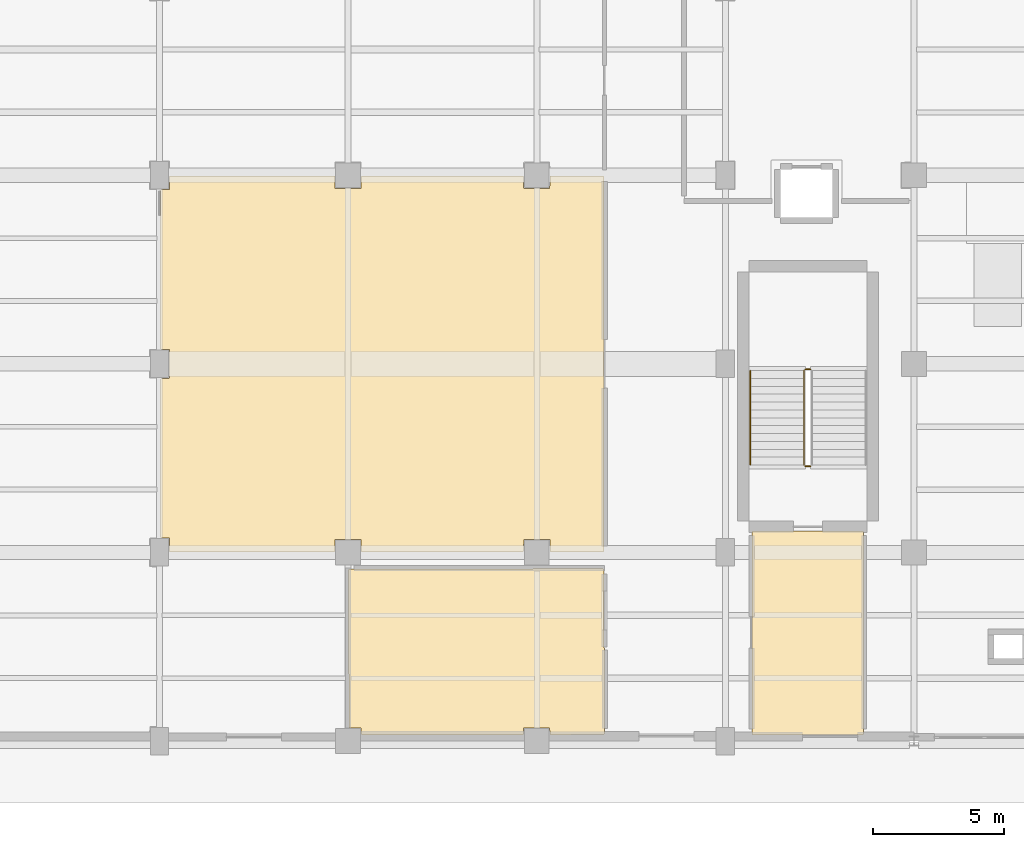
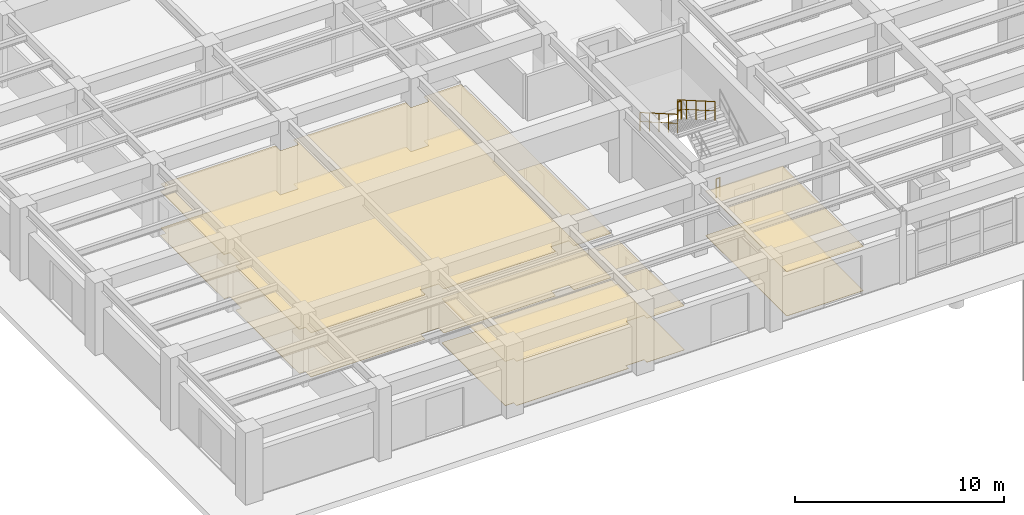
# One storey, part 50 of 64: 6 coverings, 4 railings.
"""IFC4 building model written with IfcOpenShell, lengths in metres."""

import ifcopenshell
import ifcopenshell.guid

model = None  # the IFC model being written
_history = None  # IfcOwnerHistory: only IFC2X3 demands one
_inside = {}  # id of a spatial element -> (the spatial element, [elements in it])
_under = {}  # id of a project, library or spatial element -> (it, [spatial elements below it])
_declared = {}  # id of a project -> (the project, [libraries it declares])
_typed = {}  # id of a type object -> (the type object, [elements of that type])
_made_of = {}  # id of a material, layer set ... -> (it, [elements and type objects made of it])


def new_model(schema):
    """Start an empty IFC model of exactly this schema.

    Asked for "IFC4X3", IfcOpenShell would pick the latest addendum, in which some entities
    have other attributes; the version numbers below select the first issue.
    IFC2X3 requires an IfcOwnerHistory on every rooted entity: one is made here for all.
    """
    global model, _history
    if schema == "IFC4X3":
        model = ifcopenshell.file(schema_version=(4, 3, 0, 0))
    else:
        model = ifcopenshell.file(schema=schema)
    _inside.clear()
    _under.clear()
    _declared.clear()
    _typed.clear()
    _made_of.clear()
    _history = None
    if model.schema == "IFC2X3":
        org = make("IfcOrganization", Name="unknown")
        user = make(
            "IfcPersonAndOrganization",
            ThePerson=make("IfcPerson", FamilyName="unknown"),
            TheOrganization=org,
        )
        app = make(
            "IfcApplication",
            ApplicationDeveloper=org,
            Version="unknown",
            ApplicationFullName="unknown",
            ApplicationIdentifier="unknown",
        )
        _history = make(
            "IfcOwnerHistory",
            OwningUser=user,
            OwningApplication=app,
            ChangeAction="ADDED",
            CreationDate=0,
        )
    return model


def make(cls, **values):
    """One entity of the class cls with the attributes given. An attribute that is None is left unset."""
    return model.create_entity(
        cls, **{name: value for name, value in values.items() if value is not None}
    )


def rooted(cls, **values):
    """An entity with a GlobalId (a new one), such as an element, a storey or a relation."""
    return make(cls, GlobalId=ifcopenshell.guid.new(), OwnerHistory=_history, **values)


def si_unit(unit_type, name, prefix=None):
    """IfcSIUnit, for example si_unit("LENGTHUNIT", "METRE", prefix="MILLI")."""
    return make("IfcSIUnit", UnitType=unit_type, Prefix=prefix, Name=name)


def assignment(units):
    """IfcUnitAssignment: the units of a project."""
    return None if units is None else make("IfcUnitAssignment", Units=units)


def point(xyz):
    """IfcCartesianPoint."""
    return None if xyz is None else make("IfcCartesianPoint", Coordinates=xyz)


def direction(xyz):
    """IfcDirection."""
    return None if xyz is None else make("IfcDirection", DirectionRatios=xyz)


def frame(location, z_axis=None, x_axis=None):
    """IfcAxis2Placement3D, a coordinate frame: its origin and axes. An axis left out is left unset."""
    return make(
        "IfcAxis2Placement3D",
        Location=point(location),
        Axis=direction(z_axis),
        RefDirection=direction(x_axis),
    )


def frame_2d(location, x_axis=None):
    """IfcAxis2Placement2D, a coordinate frame in the plane: its origin and x axis."""
    return make(
        "IfcAxis2Placement2D", Location=point(location), RefDirection=direction(x_axis)
    )


def origin():
    """The frame at (0, 0, 0) with its axes left unset."""
    return frame((0.0, 0.0, 0.0))


def origin_2d():
    """The frame at (0, 0) in the plane with its x axis left unset."""
    return frame_2d((0.0, 0.0))


def place(relative_to, where):
    """IfcLocalPlacement: puts the frame where relative to a parent placement (None: the world)."""
    return make(
        "IfcLocalPlacement", PlacementRelTo=relative_to, RelativePlacement=where
    )


def context(
    kind, dimensions, precision=None, world=None, true_north=None, identifier=None
):
    """IfcGeometricRepresentationContext, for example the 3D "Model" context."""
    return make(
        "IfcGeometricRepresentationContext",
        ContextIdentifier=identifier,
        ContextType=kind,
        CoordinateSpaceDimension=dimensions,
        Precision=precision,
        WorldCoordinateSystem=world,
        TrueNorth=true_north,
    )


def subcontext(parent, identifier, kind, view, scale=None):
    """IfcGeometricRepresentationSubContext, for example "Body" below "Model"."""
    return make(
        "IfcGeometricRepresentationSubContext",
        ContextIdentifier=identifier,
        ContextType=kind,
        ParentContext=parent,
        TargetScale=scale,
        TargetView=view,
    )


def project(units=None, contexts=None):
    """IfcProject with its units and contexts."""
    return rooted(
        "IfcProject",
        Name="project",
        RepresentationContexts=contexts,
        UnitsInContext=assignment(units),
    )


def spatial(cls, under=None, at=None, **own):
    """A site, building, storey or space (cls), placed at a placement, below another one or the project."""
    s = rooted(cls, ObjectPlacement=at, **own)
    if under is not None:
        _under.setdefault(under.id(), (under, []))[1].append(s)
    return s


def polyline(points):
    """IfcPolyline through the points."""
    return make("IfcPolyline", Points=[point(p) for p in points])


def profile(cls, at=None, kind="AREA", **sizes):
    """A parametric profile (cls). Its sizes go by their IFC names, for example OverallWidth=200.0."""
    return make(cls, ProfileType=kind, Position=at, **sizes)


def circle(**sizes):
    """IfcCircleProfileDef."""
    return profile("IfcCircleProfileDef", **sizes)


def outline(outer, holes=None, kind="AREA"):
    """IfcArbitraryClosedProfileDef: a profile drawn as a closed curve; with holes, ...WithVoids."""
    if holes is None:
        return make("IfcArbitraryClosedProfileDef", ProfileType=kind, OuterCurve=outer)
    return make(
        "IfcArbitraryProfileDefWithVoids",
        ProfileType=kind,
        OuterCurve=outer,
        InnerCurves=holes,
    )


def extrude(swept, where, along, depth):
    """IfcExtrudedAreaSolid: the profile swept, set in the frame where, extruded along a direction by depth."""
    return make(
        "IfcExtrudedAreaSolid",
        SweptArea=swept,
        Position=where,
        ExtrudedDirection=direction(along),
        Depth=depth,
    )


def shape(context_of_items, identifier, shape_type, items):
    """IfcShapeRepresentation: the items that make up one representation, for example the "Body"."""
    return make(
        "IfcShapeRepresentation",
        ContextOfItems=context_of_items,
        RepresentationIdentifier=identifier,
        RepresentationType=shape_type,
        Items=items,
    )


def material(Name=None, Category=None):
    """IfcMaterial."""
    return make("IfcMaterial", Name=Name, Category=Category)


def layer(
    of_material, thickness, ventilated=None, Name=None, Category=None, Priority=None
):
    """IfcMaterialLayer: one layer of a wall or slab, of a material (None: an air gap)."""
    return make(
        "IfcMaterialLayer",
        Material=of_material,
        LayerThickness=thickness,
        IsVentilated=ventilated,
        Name=Name,
        Category=Category,
        Priority=Priority,
    )


def layer_set(layers, Name=None):
    """IfcMaterialLayerSet."""
    return make("IfcMaterialLayerSet", MaterialLayers=layers, LayerSetName=Name)


def made_of(thing, what):
    """Note that an element or type object is made of a material, layer set ...; save() writes the relation."""
    if what is not None:
        _made_of.setdefault(what.id(), (what, []))[1].append(thing)
    return thing


def type_object(cls, material=None, **own):
    """A type object (cls), such as IfcWallType, which elements share."""
    return made_of(rooted(cls, **own), material)


def element(
    cls,
    number,
    at=None,
    inside=None,
    cuts=None,
    type_object=None,
    material=None,
    context=None,
    identifier="Body",
    shape_type=None,
    held_by="IfcProductDefinitionShape",
    body=None,
    shapes=None,
    **own,
):
    """One element of the class cls, such as IfcWall. Its Tag is "e" and its number.

    at: its placement. inside: the storey or other place that contains it. cuts: it is an
    opening in that element (IfcRelVoidsElement). A single representation is given by context,
    identifier, shape_type and body (its items); several are given by shapes. held_by: the class
    of the entity that holds the representations. save() writes the other relations.
    """
    e = rooted(cls, Tag="e%d" % number, ObjectPlacement=at, **own)
    if body is not None:
        shapes = [shape(context, identifier, shape_type, body)]
    if shapes is not None:
        e.Representation = make(held_by, Representations=shapes)
    if inside is not None:
        _inside.setdefault(inside.id(), (inside, []))[1].append(e)
    if cuts is not None:
        rooted(
            "IfcRelVoidsElement", RelatingBuildingElement=cuts, RelatedOpeningElement=e
        )
    if type_object is not None:
        _typed.setdefault(type_object.id(), (type_object, []))[1].append(e)
    return made_of(e, material)


def aggregate(whole, parts):
    """IfcRelAggregates: a whole, such as a stair, and the parts it consists of."""
    return rooted("IfcRelAggregates", RelatingObject=whole, RelatedObjects=parts)


def save(model, path):
    """Write the relations noted so far, then the file.

    IfcRelAggregates (storeys below a building ...), IfcRelContainedInSpatialStructure (elements
    in a storey), IfcRelDefinesByType, IfcRelAssociatesMaterial and IfcRelDeclares: one each for
    every whole, place, type object, material and project.
    """
    for whole, parts in _under.values():
        aggregate(whole, parts)
    for where, things in _inside.values():
        rooted(
            "IfcRelContainedInSpatialStructure",
            RelatedElements=things,
            RelatingStructure=where,
        )
    for kind, things in _typed.values():
        rooted("IfcRelDefinesByType", RelatedObjects=things, RelatingType=kind)
    for what, things in _made_of.values():
        rooted("IfcRelAssociatesMaterial", RelatedObjects=things, RelatingMaterial=what)
    for by, libraries in _declared.values():
        rooted("IfcRelDeclares", RelatingContext=by, RelatedDefinitions=libraries)
    model.write(path)


model = new_model("IFC4")

# Units and contexts
model_context = context("Model", 3, precision=1e-05, world=origin(), true_north=direction((0.0, 1.0)))
body_context = subcontext(model_context, "Body", "Model", "MODEL_VIEW")
ifc_project = project(units=[si_unit("LENGTHUNIT", "METRE"), si_unit("AREAUNIT", "SQUARE_METRE"), si_unit("VOLUMEUNIT", "CUBIC_METRE"), si_unit("PLANEANGLEUNIT", "RADIAN"), si_unit("MASSUNIT", "GRAM", prefix="KILO")], contexts=[model_context])

# Site, building, storey
site_placement = place(None, origin())
site = spatial("IfcSite", under=ifc_project, at=site_placement, CompositionType="ELEMENT")
building_placement = place(site_placement, origin())
building = spatial("IfcBuilding", under=site, at=building_placement, Name="Solenvale Faculty of Natural Sciences", CompositionType="ELEMENT")
storey_placement = place(building_placement, origin())
storey = spatial("IfcBuildingStorey", under=building, at=storey_placement, Name="L00", CompositionType="ELEMENT", Elevation=0.0)

# Coverings
ifc_material_1 = material(Name="Acoustic mineral-timber ceiling", Category="wood")
ifc_layer_1 = layer(ifc_material_1, 0.02490234375)
ifc_layer_set_1 = layer_set([ifc_layer_1], Name="Acoustic mineral-timber ceiling")
covering_type_1 = type_object("IfcCoveringType", Name="COV-CEIL-AC25", PredefinedType="CEILING", material=ifc_layer_set_1)
covering_1_placement = place(storey_placement, frame((0.0, 0.0, 2.574951171875)))
element("IfcCovering", 1, at=covering_1_placement, inside=storey, type_object=covering_type_1, Name="L00 Fire Command Centre Acoustic Ceiling", PredefinedType="CEILING", context=body_context, shape_type="SweptSolid", body=[
    extrude(outline(polyline([(24.1298828125, 6.580078125), (24.15087890625, 6.571044921875), (24.159912109375, 6.550048828125), (24.159912109375, 3.60009765625), (24.179931640625, 3.551025390625), (24.179931640625, 0.27001953125), (24.1669921875, 0.2451171875), (22.126953125, 0.239990234375), (22.10009765625, 0.26708984375), (22.093017578125, 0.5), (21.111083984375, 0.5), (21.10009765625, 0.489013671875), (21.09912109375, 0.263916015625), (21.070068359375, 0.239990234375), (14.929931640625, 0.239990234375), (14.89990234375, 0.26708984375), (14.89501953125, 0.4990234375), (14.449951171875, 0.5), (14.425048828125, 0.512939453125), (14.419921875, 6.550048828125), (14.43310546875, 6.574951171875), (24.1298828125, 6.580078125)])), origin(), (0.0, 0.0, 1.0), 0.025146484375),
])
covering_2_placement = place(storey_placement, frame((0.0, 0.0, 2.574951171875)))
element("IfcCovering", 2, at=covering_2_placement, inside=storey, type_object=covering_type_1, Name="L00 Protected Exit Vestibule ST-01 Acoustic Ceiling", PredefinedType="CEILING", context=body_context, shape_type="SweptSolid", body=[
    extrude(outline(polyline([(29.85009765625, 0.239990234375), (29.8291015625, 0.2490234375), (29.820068359375, 0.27001953125), (29.823974609375, 8.00390625), (29.85009765625, 8.02001953125), (34.053955078125, 8.01611328125), (34.070068359375, 7.989990234375), (34.06591796875, 0.256103515625), (34.0400390625, 0.239990234375), (29.85009765625, 0.239990234375)])), origin(), (0.0, 0.0, 1.0), 0.025146484375),
])
ifc_material_2 = material(Name="Oak slatted acoustic timber ceiling", Category="wood")
ifc_layer_2 = layer(ifc_material_2, 0.034912109375)
ifc_layer_set_2 = layer_set([ifc_layer_2], Name="Oak slatted acoustic timber ceiling")
covering_type_2 = type_object("IfcCoveringType", Name="COV-CEIL-WD35", PredefinedType="CEILING", material=ifc_layer_set_2)
covering_3_placement = place(storey_placement, frame((0.0, 0.0, 2.56494140625)))
element("IfcCovering", 3, at=covering_3_placement, inside=storey, type_object=covering_type_2, Name="L00 Lecture Theatre Acoustic Ceiling", PredefinedType="CEILING", context=body_context, shape_type="SweptSolid", body=[
    extrude(outline(polyline([(7.239990234375, 13.820068359375), (7.26708984375, 13.85009765625), (7.56396484375, 13.85009765625), (7.574951171875, 13.861083984375), (7.574951171875, 14.943115234375), (7.26708984375, 14.949951171875), (7.239990234375, 14.97998046875), (7.239990234375, 21.02001953125), (7.26708984375, 21.050048828125), (7.572998046875, 21.053955078125), (7.574951171875, 21.550048828125), (7.593994140625, 21.577880859375), (13.873046875, 21.580078125), (13.89990234375, 21.552978515625), (13.89990234375, 21.111083984375), (13.910888671875, 21.10009765625), (14.89404296875, 21.10107421875), (14.89990234375, 21.552978515625), (14.929931640625, 21.580078125), (21.072998046875, 21.580078125), (21.10009765625, 21.552978515625), (21.10009765625, 21.111083984375), (21.111083984375, 21.10009765625), (22.094970703125, 21.10107421875), (22.10009765625, 21.552978515625), (22.1240234375, 21.5791015625), (24.1298828125, 21.580078125), (24.157958984375, 21.56103515625), (24.159912109375, 7.25), (24.14111328125, 7.221923828125), (22.1240234375, 7.220947265625), (22.10009765625, 7.2470703125), (22.10009765625, 7.68896484375), (22.089111328125, 7.699951171875), (21.10595703125, 7.698974609375), (21.10009765625, 7.2470703125), (21.070068359375, 7.219970703125), (14.927001953125, 7.219970703125), (14.89990234375, 7.2470703125), (14.89990234375, 7.68896484375), (14.888916015625, 7.699951171875), (13.906005859375, 7.698974609375), (13.89990234375, 7.2470703125), (13.873046875, 7.219970703125), (7.593994140625, 7.221923828125), (7.574951171875, 7.25), (7.572998046875, 7.74609375), (7.26708984375, 7.75), (7.239990234375, 7.777099609375), (7.239990234375, 13.820068359375)])), origin(), (0.0, 0.0, 1.0), 0.03515625),
])
ifc_material_3 = material(Name="Polished slate terrazzo flooring", Category="masonry")
ifc_layer_3 = layer(ifc_material_3, 0.01806640625)
ifc_layer_set_3 = layer_set([ifc_layer_3], Name="Polished slate terrazzo flooring")
covering_type_3 = type_object("IfcCoveringType", Name="COV-FLR-TRZ18", PredefinedType="FLOORING", material=ifc_layer_set_3)
covering_4_placement = place(storey_placement, origin())
element("IfcCovering", 4, at=covering_4_placement, inside=storey, type_object=covering_type_3, Name="L00 Fire Command Centre Floor Finish", PredefinedType="FLOORING", context=body_context, shape_type="SweptSolid", body=[
    extrude(outline(polyline([(24.1298828125, 6.580078125), (24.15087890625, 6.571044921875), (24.159912109375, 6.550048828125), (24.159912109375, 3.60009765625), (24.179931640625, 3.551025390625), (24.179931640625, 0.27001953125), (24.1669921875, 0.2451171875), (22.126953125, 0.239990234375), (22.10009765625, 0.26708984375), (22.093017578125, 0.5), (21.111083984375, 0.5), (21.10009765625, 0.489013671875), (21.09912109375, 0.263916015625), (21.070068359375, 0.239990234375), (14.929931640625, 0.239990234375), (14.89990234375, 0.26708984375), (14.89501953125, 0.4990234375), (14.449951171875, 0.5), (14.425048828125, 0.512939453125), (14.419921875, 6.550048828125), (14.43310546875, 6.574951171875), (24.1298828125, 6.580078125)])), origin(), (0.0, 0.0, 1.0), 0.01806640625),
])
covering_5_placement = place(storey_placement, origin())
element("IfcCovering", 5, at=covering_5_placement, inside=storey, type_object=covering_type_3, Name="L00 Lecture Theatre Floor Finish", PredefinedType="FLOORING", context=body_context, shape_type="SweptSolid", body=[
    extrude(outline(polyline([(7.239990234375, 13.820068359375), (7.26708984375, 13.85009765625), (7.56396484375, 13.85009765625), (7.574951171875, 13.861083984375), (7.574951171875, 14.943115234375), (7.26708984375, 14.949951171875), (7.239990234375, 14.97998046875), (7.239990234375, 21.02001953125), (7.26708984375, 21.050048828125), (7.572998046875, 21.053955078125), (7.574951171875, 21.550048828125), (7.593994140625, 21.577880859375), (13.873046875, 21.580078125), (13.89990234375, 21.552978515625), (13.89990234375, 21.111083984375), (13.910888671875, 21.10009765625), (14.89404296875, 21.10107421875), (14.89990234375, 21.552978515625), (14.929931640625, 21.580078125), (21.072998046875, 21.580078125), (21.10009765625, 21.552978515625), (21.10009765625, 21.111083984375), (21.111083984375, 21.10009765625), (22.094970703125, 21.10107421875), (22.10009765625, 21.552978515625), (22.1240234375, 21.5791015625), (24.1298828125, 21.580078125), (24.157958984375, 21.56103515625), (24.159912109375, 7.25), (24.14111328125, 7.221923828125), (22.1240234375, 7.220947265625), (22.10009765625, 7.2470703125), (22.10009765625, 7.68896484375), (22.089111328125, 7.699951171875), (21.10595703125, 7.698974609375), (21.10009765625, 7.2470703125), (21.070068359375, 7.219970703125), (14.927001953125, 7.219970703125), (14.89990234375, 7.2470703125), (14.89990234375, 7.68896484375), (14.888916015625, 7.699951171875), (13.906005859375, 7.698974609375), (13.89990234375, 7.2470703125), (13.873046875, 7.219970703125), (7.593994140625, 7.221923828125), (7.574951171875, 7.25), (7.572998046875, 7.74609375), (7.26708984375, 7.75), (7.239990234375, 7.777099609375), (7.239990234375, 13.820068359375)])), origin(), (0.0, 0.0, 1.0), 0.01806640625),
])
covering_6_placement = place(storey_placement, origin())
element("IfcCovering", 6, at=covering_6_placement, inside=storey, type_object=covering_type_3, Name="L00 Protected Exit Vestibule ST-01 Floor Finish", PredefinedType="FLOORING", context=body_context, shape_type="SweptSolid", body=[
    extrude(outline(polyline([(29.85009765625, 0.239990234375), (29.8291015625, 0.2490234375), (29.820068359375, 0.27001953125), (29.823974609375, 8.00390625), (29.85009765625, 8.02001953125), (34.053955078125, 8.01611328125), (34.070068359375, 7.989990234375), (34.06591796875, 0.256103515625), (34.0400390625, 0.239990234375), (29.85009765625, 0.239990234375)])), origin(), (0.0, 0.0, 1.0), 0.01806640625),
])

# Railings
ifc_material_4 = material(Name="Stainless steel Grade 304", Category="steel")
railing_type_1 = type_object("IfcRailingType", Name="RL-GRD-1100", PredefinedType="GUARDRAIL", material=ifc_material_4)
railing_1_placement = place(storey_placement, frame((32.050048828125, 14.18994140625, 2.25)))
element("IfcRailing", 7, at=railing_1_placement, inside=storey, type_object=railing_type_1, Name="L00 ST-01 stair guard 2", PredefinedType="GUARDRAIL", context=body_context, shape_type="SweptSolid", body=[
    extrude(circle(Radius=0.02392578125, at=origin_2d()), frame((0.0, 0.0, 1.09619140625), z_axis=(-1.0, 0.0, 0.0), x_axis=(0.0, -1.0, 0.0)), (0.0, 0.0, 1.0), 0.199951171875),
    extrude(circle(Radius=0.01611328125, at=origin_2d()), frame((0.0, 0.0, 0.56005859375), z_axis=(-1.0, 0.0, 0.0), x_axis=(0.0, -1.0, 0.0)), (0.0, 0.0, 1.0), 0.199951171875),
    extrude(circle(Radius=0.02099609375, at=origin_2d()), origin(), (0.0, 0.0, 1.0), 1.072021484375),
    extrude(circle(Radius=0.02099609375, at=origin_2d()), frame((-0.199951171875, 0.0, 0.0)), (0.0, 0.0, 1.0), 1.072021484375),
])
railing_2_placement = place(storey_placement, frame((31.800048828125, 14.139892578125, 2.423095703125)))
element("IfcRailing", 8, at=railing_2_placement, inside=storey, type_object=railing_type_1, Name="L00 ST-01 stair guard 3", PredefinedType="GUARDRAIL", context=body_context, shape_type="SweptSolid", body=[
    extrude(circle(Radius=0.02392578125, at=origin_2d()), frame((0.0, 0.0, 1.09619140625), z_axis=(0.0, -0.866178740119, 0.499734319579), x_axis=(1.0, 0.0, 0.0)), (0.0, 0.0, 1.0), 4.156005859375),
    extrude(circle(Radius=0.01611328125, at=origin_2d()), frame((0.0, 0.0, 0.56005859375), z_axis=(0.0, -0.866178740119, 0.499734319579), x_axis=(1.0, 0.0, 0.0)), (0.0, 0.0, 1.0), 4.156005859375),
    extrude(circle(Radius=0.02099609375, at=origin_2d()), origin(), (0.0, 0.0, 1.0), 1.072021484375),
    extrude(circle(Radius=0.02099609375, at=origin_2d()), frame((0.0, -0.89990234375, 0.519287109375)), (0.0, 0.0, 1.0), 1.072021484375),
    extrude(circle(Radius=0.02099609375, at=origin_2d()), frame((0.0, -1.7998046875, 1.03857421875)), (0.0, 0.0, 1.0), 1.072021484375),
    extrude(circle(Radius=0.02099609375, at=origin_2d()), frame((0.0, -2.699951171875, 1.5576171875)), (0.0, 0.0, 1.0), 1.072021484375),
    extrude(circle(Radius=0.02099609375, at=origin_2d()), frame((0.0, -3.599853515625, 2.076904296875)), (0.0, 0.0, 1.0), 1.072021484375),
])
railing_3_placement = place(storey_placement, frame((32.050048828125, 10.489990234375, 0.0)))
element("IfcRailing", 9, at=railing_3_placement, inside=storey, type_object=railing_type_1, Name="L00 ST-01 stair guard 4", PredefinedType="GUARDRAIL", context=body_context, shape_type="SweptSolid", body=[
    extrude(circle(Radius=0.02392578125, at=origin_2d()), frame((0.0, 0.0, 1.09619140625), z_axis=(-1.0, 0.0, 0.0), x_axis=(0.0, -1.0, 0.0)), (0.0, 0.0, 1.0), 0.199951171875),
    extrude(circle(Radius=0.01611328125, at=origin_2d()), frame((0.0, 0.0, 0.56005859375), z_axis=(-1.0, 0.0, 0.0), x_axis=(0.0, -1.0, 0.0)), (0.0, 0.0, 1.0), 0.199951171875),
    extrude(circle(Radius=0.02099609375, at=origin_2d()), origin(), (0.0, 0.0, 1.0), 1.072021484375),
    extrude(circle(Radius=0.02099609375, at=origin_2d()), frame((-0.199951171875, 0.0, 0.0)), (0.0, 0.0, 1.0), 1.072021484375),
])
railing_type_2 = type_object("IfcRailingType", Name="RL-HND-900", PredefinedType="HANDRAIL", material=ifc_material_4)
railing_4_placement = place(storey_placement, frame((29.75, 14.139892578125, 2.423095703125)))
element("IfcRailing", 10, at=railing_4_placement, inside=storey, type_object=railing_type_2, Name="L00 ST-01 stair handrail 2", PredefinedType="HANDRAIL", context=body_context, shape_type="SweptSolid", body=[
    extrude(circle(Radius=0.02392578125, at=origin_2d()), frame((0.0, 0.0, 1.0732421875), z_axis=(0.0, -0.866178740119, 0.499734319579), x_axis=(1.0, 0.0, 0.0)), (0.0, 0.0, 1.0), 4.156005859375),
    extrude(circle(Radius=0.01611328125, at=origin_2d()), frame((0.0, 0.0, 0.548583984375), z_axis=(0.0, -0.866178740119, 0.499734319579), x_axis=(1.0, 0.0, 0.0)), (0.0, 0.0, 1.0), 4.156005859375),
    extrude(circle(Radius=0.02099609375, at=origin_2d()), origin(), (0.0, 0.0, 1.0), 1.049072265625),
    extrude(circle(Radius=0.02099609375, at=origin_2d()), frame((0.0, -0.89990234375, 0.519287109375)), (0.0, 0.0, 1.0), 1.049072265625),
    extrude(circle(Radius=0.02099609375, at=origin_2d()), frame((0.0, -1.7998046875, 1.03857421875)), (0.0, 0.0, 1.0), 1.049072265625),
    extrude(circle(Radius=0.02099609375, at=origin_2d()), frame((0.0, -2.699951171875, 1.5576171875)), (0.0, 0.0, 1.0), 1.049072265625),
    extrude(circle(Radius=0.02099609375, at=origin_2d()), frame((0.0, -3.599853515625, 2.076904296875)), (0.0, 0.0, 1.0), 1.049072265625),
])

save(model, "model.ifc")
